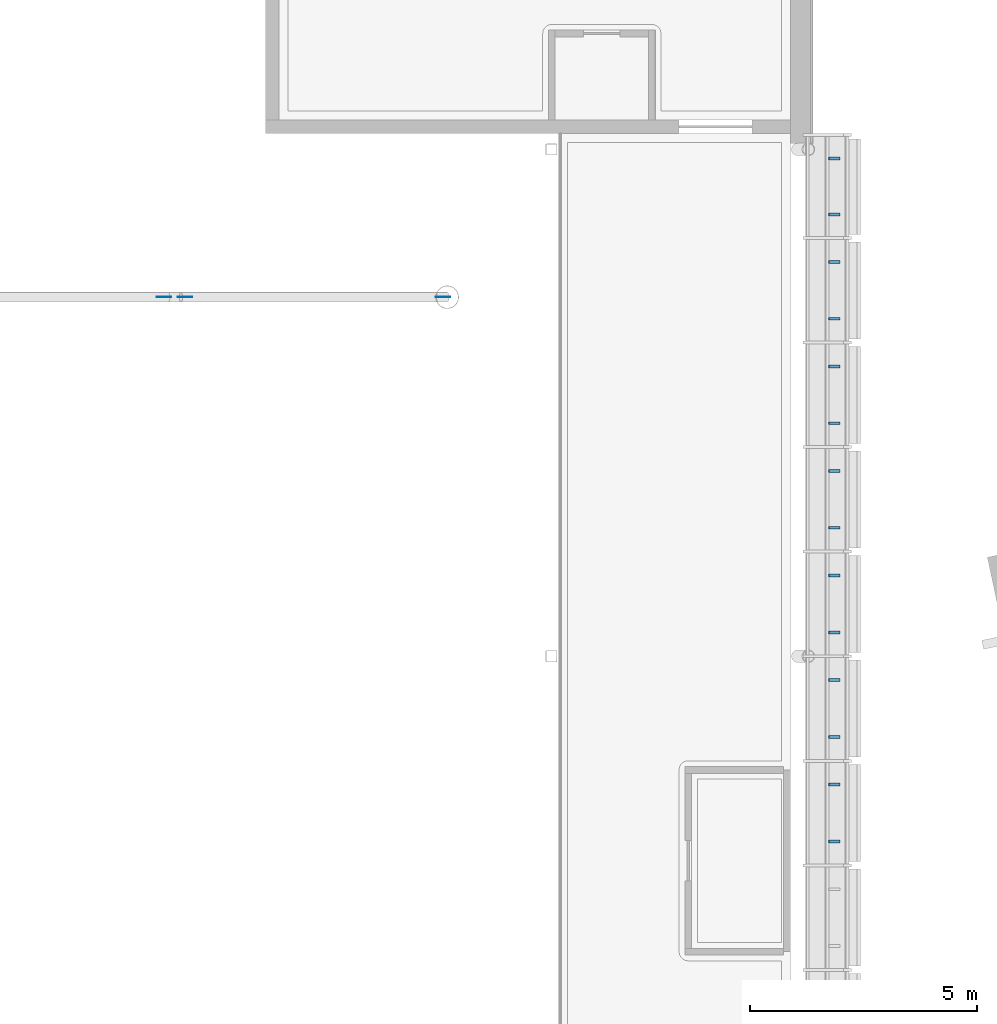
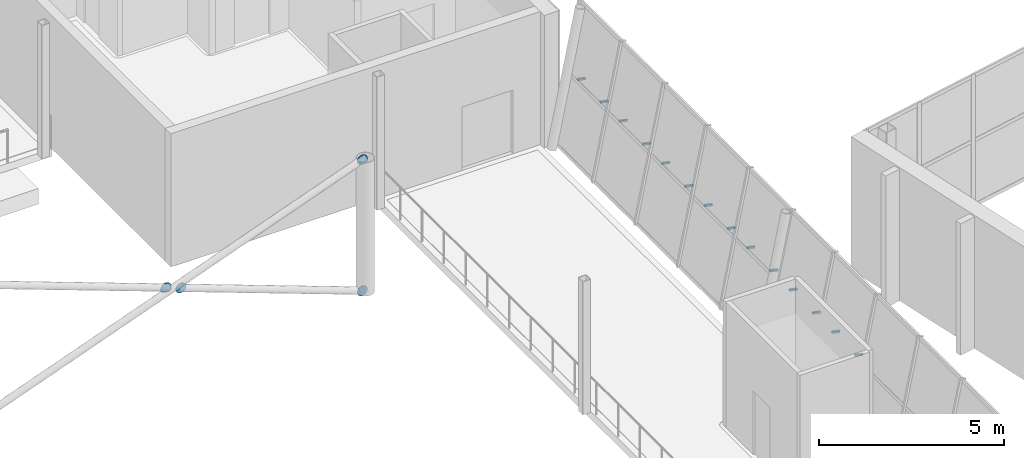
# One storey, part 92 of 115: 18 discrete accessories.
"""IFC4 building model written with IfcOpenShell, lengths in metres."""

from ifc_helpers import new_model, si_unit, direction, frame, origin, origin_2d, place, context, subcontext, project, spatial, rectangle, circle, extrude, material, layer, layer_set, type_object, element, save


model = new_model("IFC4")

# Units and contexts
model_context = context("Model", 3, precision=1e-05, world=origin(), true_north=direction((0.0, 1.0)))
body_context = subcontext(model_context, "Body", "Model", "MODEL_VIEW")
ifc_project = project(units=[si_unit("LENGTHUNIT", "METRE"), si_unit("AREAUNIT", "SQUARE_METRE"), si_unit("VOLUMEUNIT", "CUBIC_METRE"), si_unit("PLANEANGLEUNIT", "RADIAN"), si_unit("MASSUNIT", "GRAM", prefix="KILO")], contexts=[model_context])

# Site, building, storey
site_placement = place(None, origin())
site = spatial("IfcSite", under=ifc_project, at=site_placement, CompositionType="ELEMENT")
building_placement = place(site_placement, origin())
building = spatial("IfcBuilding", under=site, at=building_placement, Name="Windward Yard Aquatics Centre", CompositionType="ELEMENT")
storey_placement = place(building_placement, frame((0.0, 0.0, 5.0)))
storey = spatial("IfcBuildingStorey", under=building, at=storey_placement, Name="L01", CompositionType="ELEMENT", Elevation=5.0)

# Discrete accessories
ifc_material = material(Name="Steel S355", Category="steel")
ifc_layer = layer(ifc_material, 0.011962890625)
ifc_layer_set = layer_set([ifc_layer], Name="Gusset plate 320 mm disc 12 mm")
discrete_accessory_type = type_object("IfcDiscreteAccessoryType", Name="Gusset plate 320 mm disc 12 mm", PredefinedType="USERDEFINED", material=ifc_layer_set)
for number, where, z_axis, x_axis, name in (
    (1, (143.906005859375, 80.39404296875, 4.365478515625), (0.0, 1.0, 0.0), (-1.0, 0.0, 0.0), "Gusset plate"),
    (2, (137.765869140625, 80.39404296875, 2.285888671875), (0.0, 1.0, 0.0), (-1.0, 0.0, 0.0), "Gusset plate"),
    (3, (138.234130859375, 80.39404296875, 2.114013671875), (0.0, 1.0, 0.0), (-1.0, 0.0, 0.0), "Gusset plate"),
    (4, (143.906005859375, 80.39404296875, 0.034423828125), (0.0, 1.0, 0.0), (-1.0, 0.0, 0.0), "Gusset plate"),
):
    element("IfcDiscreteAccessory", number, at=place(storey_placement, frame(where, z_axis=z_axis, x_axis=x_axis)), inside=storey, type_object=discrete_accessory_type, Name=name, ObjectType="GUSSET PLATE", PredefinedType="USERDEFINED", context=body_context, shape_type="SweptSolid", body=[
        extrude(circle(Radius=0.159912109375, at=origin_2d()), origin(), (0.0, 0.0, 1.0), 0.011962890625),
    ])
for number, where, z_axis, x_axis, name in (
    (5, (152.3876953125, 68.42431640625, 2.193603515625), (0.979936662274, 0.0, -0.199309151649), (0.0, 1.0, 0.0), "Louvre bracket E L01 A14.1"),
    (6, (152.3876953125, 69.67578125, 2.193603515625), (0.979936662274, 0.0, -0.199309151649), (0.0, 1.0, 0.0), "Louvre bracket E L01 A14.2"),
    (7, (152.3876953125, 70.72412109375, 2.193603515625), (0.979936662274, 0.0, -0.199309151649), (0.0, 1.0, 0.0), "Louvre bracket E L01 A15.1"),
    (8, (152.3876953125, 71.975830078125, 2.193603515625), (0.979936662274, 0.0, -0.199309151649), (0.0, 1.0, 0.0), "Louvre bracket E L01 A15.2"),
    (9, (152.3876953125, 73.024169921875, 2.193603515625), (0.979936662274, 0.0, -0.199309151649), (0.0, 1.0, 0.0), "Louvre bracket E L01 A16.1"),
    (10, (152.3876953125, 74.27587890625, 2.193603515625), (0.979936662274, 0.0, -0.199309151649), (0.0, 1.0, 0.0), "Louvre bracket E L01 A16.2"),
    (11, (152.3876953125, 75.32421875, 2.193603515625), (0.979936662274, 0.0, -0.199309151649), (0.0, 1.0, 0.0), "Louvre bracket E L01 A17.1"),
    (12, (152.3876953125, 76.57568359375, 2.193603515625), (0.979936662274, 0.0, -0.199309151649), (0.0, 1.0, 0.0), "Louvre bracket E L01 A17.2"),
    (13, (152.3876953125, 77.624267578125, 2.193603515625), (0.979936662274, 0.0, -0.199309151649), (0.0, 1.0, 0.0), "Louvre bracket E L01 A18.1"),
    (14, (152.3876953125, 78.875732421875, 2.193603515625), (0.979936662274, 0.0, -0.199309151649), (0.0, 1.0, 0.0), "Louvre bracket E L01 A18.2"),
    (15, (152.3876953125, 79.92431640625, 2.193603515625), (0.979936662274, 0.0, -0.199309151649), (0.0, 1.0, 0.0), "Louvre bracket E L01 A19.1"),
    (16, (152.3876953125, 81.17578125, 2.193603515625), (0.979936662274, 0.0, -0.199309151649), (0.0, 1.0, 0.0), "Louvre bracket E L01 A19.2"),
    (17, (152.3876953125, 82.217041015625, 2.193603515625), (0.979936662274, 0.0, -0.199309151649), (0.0, 1.0, 0.0), "Louvre bracket E L01 A20.1"),
    (18, (152.3876953125, 83.450439453125, 2.193603515625), (0.979936662274, 0.0, -0.199309151649), (0.0, 1.0, 0.0), "Louvre bracket E L01 A20.2"),
):
    element("IfcDiscreteAccessory", number, at=place(storey_placement, frame(where, z_axis=z_axis, x_axis=x_axis)), inside=storey, Name=name, PredefinedType="BRACKET", context=body_context, shape_type="SweptSolid", body=[
        extrude(rectangle(XDim=0.06005859375, YDim=0.06005859375, at=origin_2d()), origin(), (0.0, 0.0, 1.0), 0.25),
    ])

save(model, "model.ifc")
